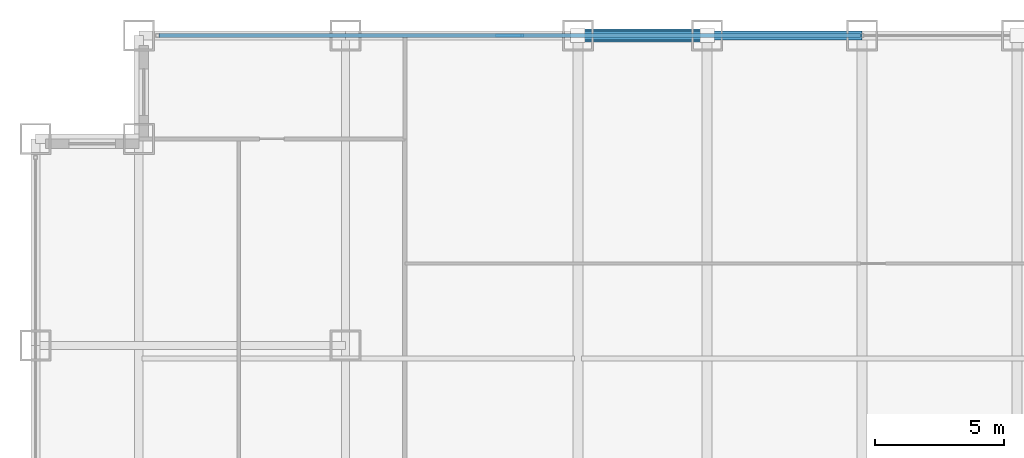
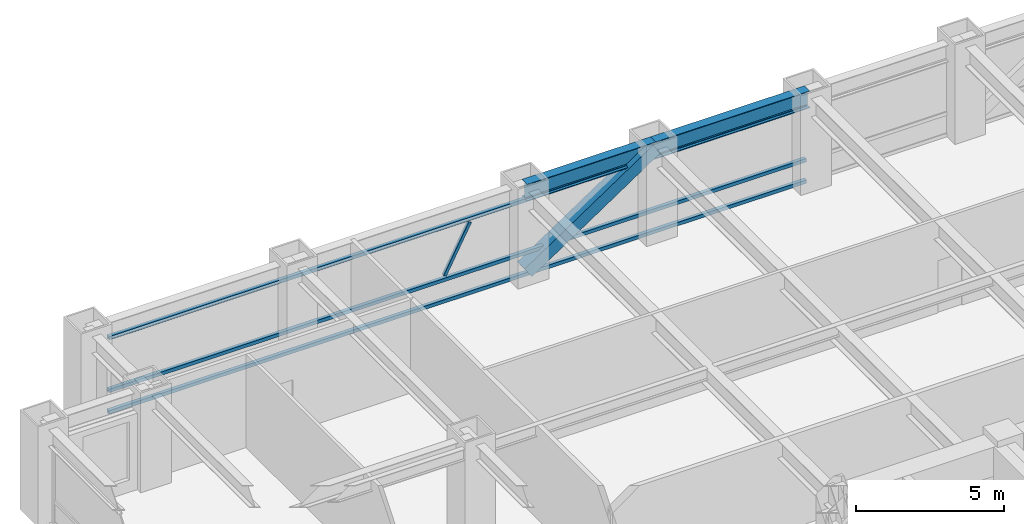
# One storey, part 18 of 27: 5 members, 2 beams, 1 element without a shape of its own.
"""IFC4 building model written with IfcOpenShell, lengths in metres."""

from ifc_helpers import new_model, si_unit, direction, frame, origin, origin_2d, place, context, subcontext, project, spatial, hollow_rectangle, i_section, extrude, source, transform, mapped, material, material_profile, profile_set, type_object, element, aggregate, save


model = new_model("IFC4")

# Units and contexts
model_context = context("Model", 3, precision=1e-05, world=origin(), true_north=direction((0.0, 1.0)))
body_context = subcontext(model_context, "Body", "Model", "MODEL_VIEW")
ifc_project = project(units=[si_unit("LENGTHUNIT", "METRE"), si_unit("AREAUNIT", "SQUARE_METRE"), si_unit("VOLUMEUNIT", "CUBIC_METRE"), si_unit("PLANEANGLEUNIT", "RADIAN"), si_unit("MASSUNIT", "GRAM", prefix="KILO")], contexts=[model_context])

# Site, building, storey
site_placement = place(None, origin())
site = spatial("IfcSite", under=ifc_project, at=site_placement, CompositionType="ELEMENT")
building_placement = place(site_placement, origin())
building = spatial("IfcBuilding", under=site, at=building_placement, Name="Khorayat Bourse Tower", CompositionType="ELEMENT")
storey_placement = place(building_placement, frame((0.0, 0.0, 107.800048828125)))
storey = spatial("IfcBuildingStorey", under=building, at=storey_placement, Name="L24", CompositionType="ELEMENT", Elevation=107.800048828125)

# Beams
ifc_material_1 = material(Name="Steel ASTM A992 Grade 50", Category="steel")
ifc_material_profile_1 = material_profile(ifc_material_1, i_section(OverallWidth=0.35498046875, OverallDepth=0.695068359375, WebThickness=0.015380859375, FlangeThickness=0.02490234375, FilletRadius=0.01806640625, at=origin_2d()), Name="W690X217")
ifc_profile_set_1 = profile_set([ifc_material_profile_1], Name="Steel ASTM A992 Grade 50")
beam_type = type_object("IfcBeamType", Name="BM-SPAN-690", PredefinedType="SPANDREL", material=ifc_profile_set_1)
shared_shape_1 = source(origin(), body_context, "Body", "SweptSolid", [
    extrude(i_section(OverallWidth=0.35498046875, OverallDepth=0.695068359375, WebThickness=0.015380859375, FlangeThickness=0.02490234375, FilletRadius=0.01806640625, at=origin_2d()), origin(), (0.0, 0.0, 1.0), 5.0),
])
beam_1_placement = place(storey_placement, frame((-11.0, 32.0, 3.492431640625), z_axis=(1.0, 0.0, 0.0), x_axis=(0.0, 1.0, 0.0)))
element("IfcBeam", 1, at=beam_1_placement, inside=storey, type_object=beam_type, Name="L24 BM-SPAN-690 BM-L24-SPN-049", PredefinedType="SPANDREL", context=body_context, shape_type="MappedRepresentation", body=[
    mapped(shared_shape_1, transform((0.0, 0.0, 0.0), scale=1.0)),
])
shared_shape_2 = source(origin(), body_context, "Body", "SweptSolid", [
    extrude(i_section(OverallWidth=0.35498046875, OverallDepth=0.695068359375, WebThickness=0.015380859375, FlangeThickness=0.02490234375, FilletRadius=0.01806640625, at=origin_2d()), origin(), (0.0, 0.0, 1.0), 6.0),
])
beam_2_placement = place(storey_placement, frame((-6.0, 32.0, 3.492431640625), z_axis=(1.0, 0.0, 0.0), x_axis=(0.0, 1.0, 0.0)))
element("IfcBeam", 2, at=beam_2_placement, inside=storey, type_object=beam_type, Name="L24 BM-SPAN-690 BM-L24-SPN-048", PredefinedType="SPANDREL", context=body_context, shape_type="MappedRepresentation", body=[
    mapped(shared_shape_2, transform((0.0, 0.0, 0.0), scale=1.0)),
])

# Member
ifc_material_2 = material(Name="Steel EN 10025-4 S460M", Category="steel")
ifc_material_profile_2 = material_profile(ifc_material_2, hollow_rectangle(XDim=0.5, YDim=0.5, WallThickness=0.028076171875, at=origin_2d()), Name="HSS 500x500x28")
ifc_profile_set_2 = profile_set([ifc_material_profile_2], Name="Steel EN 10025-4 S460M")
member_type_1 = type_object("IfcMemberType", Name="MBR-TUBE-500", PredefinedType="BRACE", material=ifc_profile_set_2)
shared_shape_3 = source(origin(), body_context, "Body", "SweptSolid", [
    extrude(hollow_rectangle(XDim=0.5, YDim=0.5, WallThickness=0.028076171875, at=origin_2d()), origin(), (0.0, 0.0, 1.0), 6.012939453125),
])
member_1_placement = place(storey_placement, frame((-11.0, 32.0, 0.25), z_axis=(0.831550226979, 0.0, 0.555449565677), x_axis=(0.0, 1.0, 0.0)))
element("IfcMember", 3, at=member_1_placement, inside=storey, type_object=member_type_1, Name="L24 Perimeter Tube Brace 03", PredefinedType="BRACE", context=body_context, shape_type="MappedRepresentation", body=[
    mapped(shared_shape_3, transform((0.0, 0.0, 0.0), scale=1.0)),
])

# Curtain wall, members
ifc_material_3 = material(Name="Aluminium EN AW-6063 T6", Category="aluminium")
curtain_wall_type = type_object("IfcCurtainWallType", Name="CW-SYS-02", PredefinedType="NOTDEFINED", material=ifc_material_3)
curtain_wall_placement = place(storey_placement, origin())
curtain_wall = element("IfcCurtainWall", 4, at=curtain_wall_placement, inside=storey, type_object=curtain_wall_type, Name="L24 Curtain Wall CW-L24-N1", PredefinedType="NOTDEFINED")
ifc_material_profile_3 = material_profile(ifc_material_3, hollow_rectangle(XDim=0.139892578125, YDim=0.139892578125, WallThickness=0.006103515625, at=origin_2d()), Name="ALU 140x140x6")
ifc_profile_set_3 = profile_set([ifc_material_profile_3], Name="Aluminium EN AW-6063 T6")
member_type_2 = type_object("IfcMemberType", Name="CWT-HORZ-140", PredefinedType="USERDEFINED", material=ifc_profile_set_3)
shared_shape_4 = source(origin(), body_context, "Body", "SweptSolid", [
    extrude(hollow_rectangle(XDim=0.139892578125, YDim=0.139892578125, WallThickness=0.006103515625, at=origin_2d()), origin(), (0.0, 0.0, 1.0), 27.139892578125),
])
member_2_placement = place(storey_placement, frame((-27.2099609375, 32.0, 0.070068359375), z_axis=(1.0, 0.0, 0.0), x_axis=(0.0, 1.0, 0.0)))
member_2 = element("IfcMember", 5, at=member_2_placement, type_object=member_type_2, Name="CW-L24-N1 Horizontal Transom 1-1", ObjectType="TRANSOM", PredefinedType="USERDEFINED", context=body_context, shape_type="MappedRepresentation", body=[
    mapped(shared_shape_4, transform((0.0, 0.0, 0.0), scale=1.0)),
])
member_3_placement = place(storey_placement, frame((-27.2099609375, 32.0, 0.949951171875), z_axis=(1.0, 0.0, 0.0), x_axis=(0.0, 1.0, 0.0)))
member_3 = element("IfcMember", 6, at=member_3_placement, type_object=member_type_2, Name="CW-L24-N1 Horizontal Transom 1-2", ObjectType="TRANSOM", PredefinedType="USERDEFINED", context=body_context, shape_type="MappedRepresentation", body=[
    mapped(shared_shape_4, transform((0.0, 0.0, 0.0), scale=1.0)),
])
member_4_placement = place(storey_placement, frame((-27.2099609375, 32.0, 3.119873046875), z_axis=(1.0, 0.0, 0.0), x_axis=(0.0, 1.0, 0.0)))
member_4 = element("IfcMember", 7, at=member_4_placement, type_object=member_type_2, Name="CW-L24-N1 Horizontal Transom 1-3", ObjectType="TRANSOM", PredefinedType="USERDEFINED", context=body_context, shape_type="MappedRepresentation", body=[
    mapped(shared_shape_4, transform((0.0, 0.0, 0.0), scale=1.0)),
])
ifc_material_profile_4 = material_profile(ifc_material_3, hollow_rectangle(XDim=0.1201171875, YDim=0.1201171875, WallThickness=0.0048828125, at=origin_2d()), Name="ALU 120x120x5")
ifc_profile_set_4 = profile_set([ifc_material_profile_4], Name="Aluminium EN AW-6063 T6")
member_type_3 = type_object("IfcMemberType", Name="CWM-DIAG-120", PredefinedType="MULLION", material=ifc_profile_set_4)
shared_shape_5 = source(origin(), body_context, "Body", "SweptSolid", [
    extrude(hollow_rectangle(XDim=0.1201171875, YDim=0.1201171875, WallThickness=0.0048828125, at=origin_2d()), origin(), (0.0, 0.0, 1.0), 2.11328125),
])
member_5_placement = place(storey_placement, frame((-14.132080078125, 32.0, 1.099853515625), z_axis=(0.465694055905, 0.0, 0.884945787207), x_axis=(0.0, 1.0, 0.0)))
member_5 = element("IfcMember", 8, at=member_5_placement, type_object=member_type_3, Name="CW-L24-N1 Faceted Diagonal Mullion 1", PredefinedType="MULLION", context=body_context, shape_type="MappedRepresentation", body=[
    mapped(shared_shape_5, transform((0.0, 0.0, 0.0), scale=1.0)),
])
aggregate(curtain_wall, [member_2, member_3, member_4, member_5])

save(model, "model.ifc")
